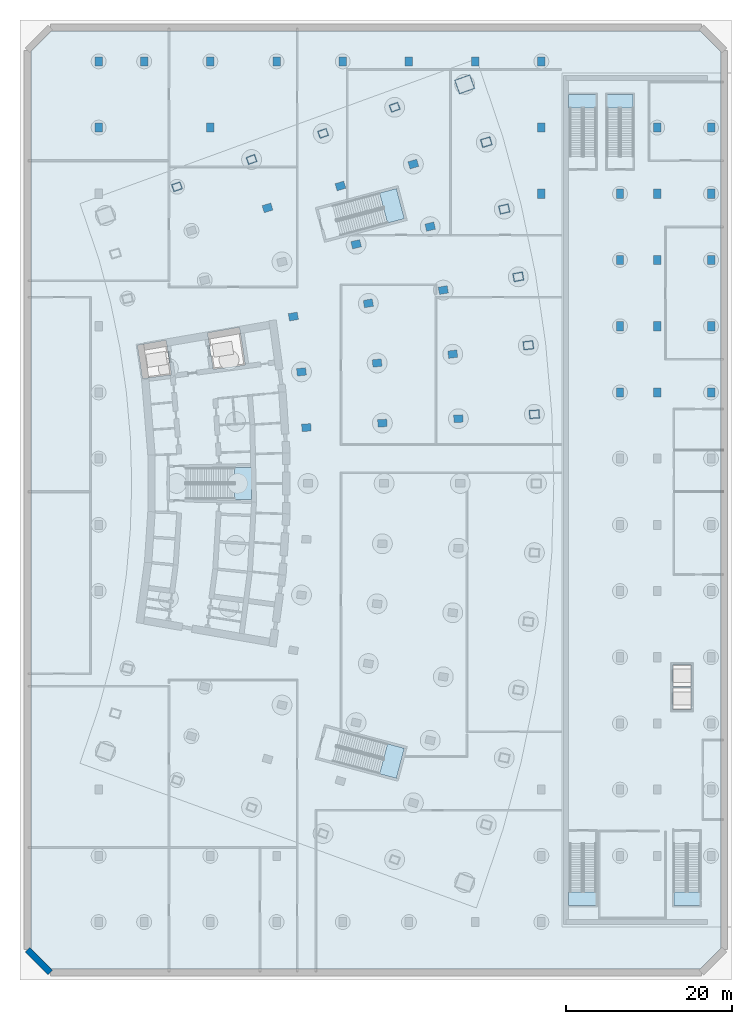
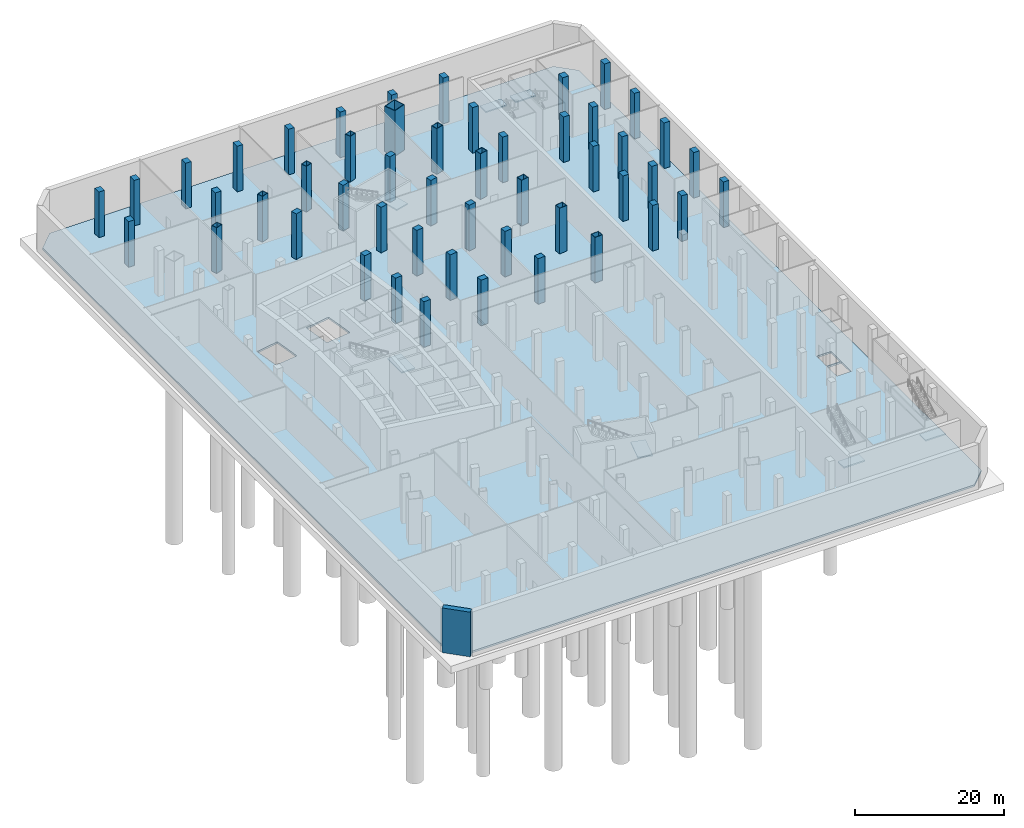
# One storey, part 2 of 19: 50 columns, 8 slabs, 1 wall, 7 elements without a shape of their own.
"""IFC4 building model written with IfcOpenShell, lengths in metres."""

from ifc_helpers import new_model, si_unit, direction, frame, frame_2d, origin, origin_2d, place, context, subcontext, project, spatial, polyline, rectangle, hollow_rectangle, outline, extrude, material, layer, layer_set, material_profile, profile_set, type_object, element, aggregate, save


model = new_model("IFC4")

# Units and contexts
model_context = context("Model", 3, precision=1e-05, world=origin(), true_north=direction((0.0, 1.0)))
body_context = subcontext(model_context, "Body", "Model", "MODEL_VIEW")
ifc_project = project(units=[si_unit("LENGTHUNIT", "METRE"), si_unit("AREAUNIT", "SQUARE_METRE"), si_unit("VOLUMEUNIT", "CUBIC_METRE"), si_unit("PLANEANGLEUNIT", "RADIAN"), si_unit("MASSUNIT", "GRAM", prefix="KILO")], contexts=[model_context])

# Site, building, storey
site_placement = place(None, origin())
site = spatial("IfcSite", under=ifc_project, at=site_placement, CompositionType="ELEMENT")
building_placement = place(site_placement, origin())
building = spatial("IfcBuilding", under=site, at=building_placement, Name="Alderwake Tower", CompositionType="ELEMENT")
storey_placement = place(building_placement, frame((0.0, 0.0, -14.0)))
storey = spatial("IfcBuildingStorey", under=building, at=storey_placement, Name="B2", CompositionType="ELEMENT", Elevation=-14.0)

# Columns
ifc_material_1 = material(Name="Steel ASTM A572 Grade 50 concrete filled C70/85", Category="concrete")
ifc_material_profile_1 = material_profile(ifc_material_1, hollow_rectangle(XDim=0.89990234375, YDim=1.10009765625, WallThickness=0.06005859375, at=origin_2d()), Name="BOX 1100X900X60")
ifc_profile_set_1 = profile_set([ifc_material_profile_1], Name="Steel ASTM A572 Grade 50 concrete filled C70/85")
column_type_1 = type_object("IfcColumnType", Name="End column Z1", PredefinedType="COLUMN", material=ifc_profile_set_1)
for number, where, z_axis, x_axis, name in (
    (1, (19.965576171875, 96.8515625, -0.300048828125), (0.0, 0.0, 1.0), (-0.337584879279, 0.9412950915, 0.0), "Column R13-C1"),
    (2, (28.983642578125, 100.143310546875, -0.300048828125), (0.0, 0.0, 1.0), (-0.338026774049, 0.941136493834, 0.0), "Column R13-C2"),
    (3, (37.6259765625, 103.298095703125, -0.300048828125), (0.0, 0.0, 1.0), (-0.338384834858, 0.941007812687, 0.0), "Column R13-C3"),
    (4, (46.268310546875, 106.452880859375, -0.300048828125), (0.0, 0.0, 1.0), (-0.338695224082, 0.940896139425, 0.0), "Column R13-C4"),
):
    element("IfcColumn", number, at=place(storey_placement, frame(where, z_axis=z_axis, x_axis=x_axis)), inside=storey, type_object=column_type_1, Name=name, PredefinedType="COLUMN", context=body_context, shape_type="SweptSolid", body=[
        extrude(hollow_rectangle(XDim=0.89990234375, YDim=1.10009765625, WallThickness=0.06005859375, at=origin_2d()), origin(), (0.0, 0.0, 1.0), 7.800048828125),
    ])
ifc_material_2 = material(Name="Concrete C70/85", Category="concrete")
ifc_material_profile_2 = material_profile(ifc_material_2, rectangle(XDim=0.89990234375, YDim=1.10009765625, at=origin_2d()), Name="RC 1100X900")
ifc_profile_set_2 = profile_set([ifc_material_profile_2], Name="Concrete C70/85")
column_type_2 = type_object("IfcColumnType", Name="Interior column Z1", PredefinedType="COLUMN", material=ifc_profile_set_2)
for number, where, z_axis, x_axis, name in (
    (5, (35.60302734375, 67.751220703125, -0.300048828125), (0.0, 0.0, 1.0), (-0.058301061284, 0.998299046505, 0.0), "Column R08-C2"),
    (6, (44.787353515625, 68.28759765625, -0.300048828125), (0.0, 0.0, 1.0), (-0.058299318924, 0.998299148258, 0.0), "Column R08-C3"),
    (7, (53.9716796875, 68.823974609375, -0.300048828125), (0.0, 0.0, 1.0), (-0.058301061284, 0.998299046505, 0.0), "Column R08-C4"),
    (8, (35.0126953125, 74.4794921875, -0.300048828125), (0.0, 0.0, 1.0), (-0.116402054316, 0.993202175668, 0.0), "Column R09-C2"),
    (9, (44.150390625, 75.55029296875, -0.300048828125), (0.0, 0.0, 1.0), (-0.116402054316, 0.993202175668, 0.0), "Column R09-C3"),
    (10, (53.28759765625, 76.62109375, -0.300048828125), (0.0, 0.0, 1.0), (-0.116402054316, 0.993202175668, 0.0), "Column R09-C4"),
    (11, (34.03125, 81.16162109375, -0.300048828125), (0.0, 0.0, 1.0), (-0.174108800747, 0.984726421654, 0.0), "Column R10-C2"),
    (12, (43.0908203125, 82.763427734375, -0.300048828125), (0.0, 0.0, 1.0), (-0.174108800747, 0.984726421654, 0.0), "Column R10-C3"),
    (13, (52.150390625, 84.365234375, -0.300048828125), (0.0, 0.0, 1.0), (-0.174108800747, 0.984726421654, 0.0), "Column R10-C4"),
    (14, (41.612548828125, 89.902587890625, -0.300048828125), (0.0, 0.0, 1.0), (-0.231221547198, 0.972901123502, 0.0), "Column R11-C3"),
    (15, (50.563232421875, 92.030029296875, -0.300048828125), (0.0, 0.0, 1.0), (-0.231221547198, 0.972901123502, 0.0), "Column R11-C4"),
    (16, (30.9091796875, 94.298095703125, -0.300048828125), (0.0, 0.0, 1.0), (-0.287549418125, 0.957765802342, 0.0), "Column R12-C2"),
    (17, (39.720703125, 96.943603515625, -0.300048828125), (0.0, 0.0, 1.0), (-0.287549418125, 0.957765802342, 0.0), "Column R12-C3"),
    (18, (48.5322265625, 99.589111328125, -0.300048828125), (0.0, 0.0, 1.0), (-0.287549418125, 0.957765802342, 0.0), "Column R12-C4"),
):
    element("IfcColumn", number, at=place(storey_placement, frame(where, z_axis=z_axis, x_axis=x_axis)), inside=storey, type_object=column_type_2, Name=name, PredefinedType="COLUMN", context=body_context, shape_type="SweptSolid", body=[
        extrude(rectangle(XDim=0.89990234375, YDim=1.10009765625, at=origin_2d()), origin(), (0.0, 0.0, 1.0), 7.800048828125),
    ])
ifc_material_3 = material(Name="Steel ASTM A572 Grade 50 concrete filled C70/85", Category="concrete")
ifc_material_profile_3 = material_profile(ifc_material_3, hollow_rectangle(XDim=1.800048828125, YDim=2.0, WallThickness=0.090087890625, at=origin_2d()), Name="BOX 2000X1800X90")
ifc_profile_set_3 = profile_set([ifc_material_profile_3], Name="Steel ASTM A572 Grade 50 concrete filled C70/85")
column_type_3 = type_object("IfcColumnType", Name="Mega column Z1", PredefinedType="COLUMN", material=ifc_profile_set_3)
column_placement = place(storey_placement, frame((54.7294921875, 109.22412109375, -0.300048828125), z_axis=(0.0, 0.0, 1.0), x_axis=(-0.336995022772, 0.941506428351, 0.0)))
element("IfcColumn", 19, at=column_placement, inside=storey, type_object=column_type_3, Name="Column R13-C5", PredefinedType="COLUMN", context=body_context, shape_type="SweptSolid", body=[
    extrude(hollow_rectangle(XDim=1.800048828125, YDim=2.0, WallThickness=0.090087890625, at=origin_2d()), origin(), (0.0, 0.0, 1.0), 7.800048828125),
])
ifc_material_4 = material(Name="Steel ASTM A572 Grade 50 concrete filled C70/85", Category="concrete")
ifc_material_profile_4 = material_profile(ifc_material_4, hollow_rectangle(XDim=1.0, YDim=1.199951171875, WallThickness=0.06005859375, at=origin_2d()), Name="BOX 1200X1000X60")
ifc_profile_set_4 = profile_set([ifc_material_profile_4], Name="Steel ASTM A572 Grade 50 concrete filled C70/85")
column_type_4 = type_object("IfcColumnType", Name="Perimeter column Z1", PredefinedType="COLUMN", material=ifc_profile_set_4)
for number, where, z_axis, x_axis, name in (
    (20, (63.156005859375, 69.3603515625, -0.300048828125), (0.0, 0.0, 1.0), (-0.058301061284, 0.998299046505, 0.0), "Column R08-C5"),
    (21, (62.42529296875, 77.692138671875, -0.300048828125), (0.0, 0.0, 1.0), (-0.116402054316, 0.993202175668, 0.0), "Column R09-C5"),
    (22, (61.209716796875, 85.967041015625, -0.300048828125), (0.0, 0.0, 1.0), (-0.174108800747, 0.984726421654, 0.0), "Column R10-C5"),
    (23, (59.513916015625, 94.1572265625, -0.300048828125), (0.0, 0.0, 1.0), (-0.231221547198, 0.972901123502, 0.0), "Column R11-C5"),
    (24, (57.343505859375, 102.234619140625, -0.300048828125), (0.0, 0.0, 1.0), (-0.287549418125, 0.957765802342, 0.0), "Column R12-C5"),
):
    element("IfcColumn", number, at=place(storey_placement, frame(where, z_axis=z_axis, x_axis=x_axis)), inside=storey, type_object=column_type_4, Name=name, PredefinedType="COLUMN", context=body_context, shape_type="SweptSolid", body=[
        extrude(hollow_rectangle(XDim=1.0, YDim=1.199951171875, WallThickness=0.06005859375, at=origin_2d()), origin(), (0.0, 0.0, 1.0), 7.800048828125),
    ])
ifc_material_5 = material(Name="Concrete C70/85", Category="concrete")
ifc_material_profile_5 = material_profile(ifc_material_5, rectangle(XDim=0.89990234375, YDim=1.10009765625, at=origin_2d()), Name="RC 1100X900")
ifc_profile_set_5 = profile_set([ifc_material_profile_5], Name="Concrete C70/85")
column_type_5 = type_object("IfcColumnType", Name="Podium column", PredefinedType="COLUMN", material=ifc_profile_set_5)
for number, where, z_axis, x_axis, name in (
    (25, (10.5, 104.0, -0.300048828125), (0.0, 0.0, 1.0), (1.0, 0.0, 0.0), "Column XW-YN"),
    (26, (10.5, 112.0, -0.300048828125), (0.0, 0.0, 1.0), (1.0, 0.0, 0.0), "Column XW-YO"),
    (27, (16.0, 112.0, -0.300048828125), (0.0, 0.0, 1.0), (1.0, 0.0, 0.0), "Column X03-YO"),
    (28, (24.0, 104.0, -0.300048828125), (0.0, 0.0, 1.0), (1.0, 0.0, 0.0), "Column X04-YN"),
    (29, (24.0, 112.0, -0.300048828125), (0.0, 0.0, 1.0), (1.0, 0.0, 0.0), "Column X04-YO"),
    (30, (32.0, 112.0, -0.300048828125), (0.0, 0.0, 1.0), (1.0, 0.0, 0.0), "Column X05-YO"),
    (31, (40.0, 112.0, -0.300048828125), (0.0, 0.0, 1.0), (1.0, 0.0, 0.0), "Column X06-YO"),
    (32, (48.0, 112.0, -0.300048828125), (0.0, 0.0, 1.0), (1.0, 0.0, 0.0), "Column X07-YO"),
    (33, (56.0, 112.0, -0.300048828125), (0.0, 0.0, 1.0), (1.0, 0.0, 0.0), "Column X08-YO"),
    (34, (64.0, 96.0, -0.300048828125), (0.0, 0.0, 1.0), (1.0, 0.0, 0.0), "Column X09-YM"),
    (35, (64.0, 104.0, -0.300048828125), (0.0, 0.0, 1.0), (1.0, 0.0, 0.0), "Column X09-YN"),
    (36, (64.0, 112.0, -0.300048828125), (0.0, 0.0, 1.0), (1.0, 0.0, 0.0), "Column X09-YO"),
    (37, (73.5, 72.0, -0.300048828125), (0.0, 0.0, 1.0), (1.0, 0.0, 0.0), "Column XS1-YJ"),
    (38, (73.5, 80.0, -0.300048828125), (0.0, 0.0, 1.0), (1.0, 0.0, 0.0), "Column XS1-YK"),
    (39, (73.5, 88.0, -0.300048828125), (0.0, 0.0, 1.0), (1.0, 0.0, 0.0), "Column XS1-YL"),
    (40, (73.5, 96.0, -0.300048828125), (0.0, 0.0, 1.0), (1.0, 0.0, 0.0), "Column XS1-YM"),
    (41, (78.0, 72.0, -0.300048828125), (0.0, 0.0, 1.0), (1.0, 0.0, 0.0), "Column XS2-YJ"),
    (42, (78.0, 80.0, -0.300048828125), (0.0, 0.0, 1.0), (1.0, 0.0, 0.0), "Column XS2-YK"),
    (43, (78.0, 88.0, -0.300048828125), (0.0, 0.0, 1.0), (1.0, 0.0, 0.0), "Column XS2-YL"),
    (44, (78.0, 96.0, -0.300048828125), (0.0, 0.0, 1.0), (1.0, 0.0, 0.0), "Column XS2-YM"),
    (45, (78.0, 104.0, -0.300048828125), (0.0, 0.0, 1.0), (1.0, 0.0, 0.0), "Column XS2-YN"),
    (46, (84.5, 72.0, -0.300048828125), (0.0, 0.0, 1.0), (1.0, 0.0, 0.0), "Column XE-YJ"),
    (47, (84.5, 80.0, -0.300048828125), (0.0, 0.0, 1.0), (1.0, 0.0, 0.0), "Column XE-YK"),
    (48, (84.5, 88.0, -0.300048828125), (0.0, 0.0, 1.0), (1.0, 0.0, 0.0), "Column XE-YL"),
    (49, (84.5, 96.0, -0.300048828125), (0.0, 0.0, 1.0), (1.0, 0.0, 0.0), "Column XE-YM"),
    (50, (84.5, 104.0, -0.300048828125), (0.0, 0.0, 1.0), (1.0, 0.0, 0.0), "Column XE-YN"),
):
    element("IfcColumn", number, at=place(storey_placement, frame(where, z_axis=z_axis, x_axis=x_axis)), inside=storey, type_object=column_type_5, Name=name, PredefinedType="COLUMN", context=body_context, shape_type="SweptSolid", body=[
        extrude(rectangle(XDim=0.89990234375, YDim=1.10009765625, at=origin_2d()), origin(), (0.0, 0.0, 1.0), 7.800048828125),
    ])

# Slab
ifc_material_6 = material(Name="Concrete C50/60", Category="concrete")
ifc_layer_1 = layer(ifc_material_6, 0.300048828125)
ifc_layer_set_1 = layer_set([ifc_layer_1], Name="Concrete C50/60 raft topping slab 300")
slab_type_1 = type_object("IfcSlabType", Name="Concrete C50/60 raft topping slab 300", PredefinedType="BASESLAB", material=ifc_layer_set_1)
slab_1_placement = place(storey_placement, frame((0.0, 0.0, -0.300048828125)))
element("IfcSlab", 51, at=slab_1_placement, inside=storey, type_object=slab_type_1, Name="Floor slab B2", PredefinedType="BASESLAB", context=body_context, shape_type="SweptSolid", body=[
    extrude(outline(polyline([(2.300048828125, 4.831298828125), (2.300048828125, 113.168701171875), (4.831298828125, 115.699951171875), (83.168701171875, 115.699951171875), (85.699951171875, 113.168701171875), (85.699951171875, 4.831298828125), (83.168701171875, 2.300048828125), (4.831298828125, 2.300048828125), (2.300048828125, 4.831298828125)]), holes=[polyline([(79.89990234375, 33.699951171875), (82.10009765625, 33.699951171875), (82.10009765625, 36.300048828125), (79.89990234375, 36.300048828125), (79.89990234375, 33.699951171875)]), polyline([(79.89990234375, 36.449951171875), (82.10009765625, 36.449951171875), (82.10009765625, 39.050048828125), (79.89990234375, 39.050048828125), (79.89990234375, 36.449951171875)]), polyline([(15.68701171875, 74.6103515625), (15.8134765625, 73.68310546875), (19.283935546875, 74.136962890625), (19.152099609375, 75.103271484375), (18.9873046875, 76.21630859375), (18.81005859375, 77.32763671875), (18.6455078125, 78.2890625), (15.19921875, 77.6796875), (15.35693359375, 76.757080078125), (15.52783203125, 75.684814453125), (15.68701171875, 74.6103515625)]), polyline([(24.201171875, 75.8212890625), (24.3408203125, 74.79833984375), (28.2080078125, 75.30419921875), (28.062255859375, 76.37060546875), (27.8828125, 77.583984375), (27.689697265625, 78.794921875), (27.50830078125, 79.85595703125), (23.667724609375, 79.177001953125), (23.841796875, 78.1591796875), (24.028076171875, 76.9912109375), (24.201171875, 75.8212890625)])]), origin(), (0.0, 0.0, 1.0), 0.300048828125),
])

# Stair, slab
ifc_material_7 = material(Name="Concrete C40/50", Category="concrete")
stair_type_1 = type_object("IfcStairType", Name="Core exit stair", PredefinedType="HALF_TURN_STAIR", material=ifc_material_7)
stair_1_placement = place(storey_placement, origin())
stair_1 = element("IfcStair", 52, at=stair_1_placement, inside=storey, type_object=stair_type_1, Name="B2 Exit Stair B", PredefinedType="HALF_TURN_STAIR")
ifc_material_8 = material(Name="Concrete C40/50", Category="concrete")
ifc_layer_2 = layer(ifc_material_8, 0.199951171875)
ifc_layer_set_2 = layer_set([ifc_layer_2], Name="Core stair landing 200")
slab_type_2 = type_object("IfcSlabType", Name="Core stair landing 200", PredefinedType="LANDING", material=ifc_layer_set_2)
slab_2_placement = place(storey_placement, frame((0.0, 0.0, 3.550048828125)))
slab_2 = element("IfcSlab", 53, at=slab_2_placement, type_object=slab_type_2, Name="ST-B landing 1", PredefinedType="LANDING", context=body_context, shape_type="SweptSolid", body=[
    extrude(outline(polyline([(26.909912109375, 59.074951171875), (29.0, 59.074951171875), (29.0, 62.925048828125), (26.909912109375, 62.925048828125), (26.909912109375, 59.074951171875)])), origin(), (0.0, 0.0, 1.0), 0.199951171875),
])
aggregate(stair_1, [slab_2])

stair_2_placement = place(storey_placement, origin())
stair_2 = element("IfcStair", 54, at=stair_2_placement, inside=storey, type_object=stair_type_1, Name="B2 Exit Stair A", PredefinedType="HALF_TURN_STAIR")
slab_3_placement = place(storey_placement, frame((0.0, 0.0, 3.550048828125)))
slab_3 = element("IfcSlab", 55, at=slab_3_placement, type_object=slab_type_2, Name="ST-A landing 1", PredefinedType="LANDING", context=body_context, shape_type="SweptSolid", body=[
    extrude(outline(polyline([(45.416748046875, 92.465087890625), (47.436279296875, 93.003173828125), (46.47119140625, 96.626708984375), (44.45166015625, 96.0888671875), (45.416748046875, 92.465087890625)])), origin(), (0.0, 0.0, 1.0), 0.199951171875),
])
aggregate(stair_2, [slab_3])

stair_3_placement = place(storey_placement, origin())
stair_3 = element("IfcStair", 56, at=stair_3_placement, inside=storey, type_object=stair_type_1, Name="B2 Exit Stair C", PredefinedType="HALF_TURN_STAIR")
slab_4_placement = place(storey_placement, frame((0.0, 0.0, 3.550048828125)))
slab_4 = element("IfcSlab", 57, at=slab_4_placement, type_object=slab_type_2, Name="ST-C landing 1", PredefinedType="LANDING", context=body_context, shape_type="SweptSolid", body=[
    extrude(outline(polyline([(44.45166015625, 25.9111328125), (46.47119140625, 25.373291015625), (47.436279296875, 28.996826171875), (45.416748046875, 29.534912109375), (44.45166015625, 25.9111328125)])), origin(), (0.0, 0.0, 1.0), 0.199951171875),
])
aggregate(stair_3, [slab_4])

ifc_material_9 = material(Name="Concrete C40/50", Category="concrete")
stair_type_2 = type_object("IfcStairType", Name="Exit stair 1500 half-turn", PredefinedType="HALF_TURN_STAIR", material=ifc_material_9)
stair_4_placement = place(storey_placement, origin())
stair_4 = element("IfcStair", 58, at=stair_4_placement, inside=storey, type_object=stair_type_2, Name="B2 Station stair S1", PredefinedType="HALF_TURN_STAIR")
slab_5_placement = place(storey_placement, frame((0.0, 0.0, 3.550048828125)))
slab_5 = element("IfcSlab", 59, at=slab_5_placement, type_object=slab_type_2, Name="ST-S1 landing 1", PredefinedType="LANDING", context=body_context, shape_type="SweptSolid", body=[
    extrude(outline(polyline([(67.300048828125, 11.6298828125), (67.300048828125, 10.0), (70.60009765625, 10.0), (70.60009765625, 11.6298828125), (67.300048828125, 11.6298828125)])), origin(), (0.0, 0.0, 1.0), 0.199951171875),
])
aggregate(stair_4, [slab_5])

stair_5_placement = place(storey_placement, origin())
stair_5 = element("IfcStair", 60, at=stair_5_placement, inside=storey, type_object=stair_type_2, Name="B2 Station stair S2", PredefinedType="HALF_TURN_STAIR")
slab_6_placement = place(storey_placement, frame((0.0, 0.0, 3.550048828125)))
slab_6 = element("IfcSlab", 61, at=slab_6_placement, type_object=slab_type_2, Name="ST-S2 landing 1", PredefinedType="LANDING", context=body_context, shape_type="SweptSolid", body=[
    extrude(outline(polyline([(80.0, 11.6298828125), (80.0, 10.0), (83.14990234375, 10.0), (83.14990234375, 11.6298828125), (80.0, 11.6298828125)])), origin(), (0.0, 0.0, 1.0), 0.199951171875),
])
aggregate(stair_5, [slab_6])

stair_6_placement = place(storey_placement, origin())
stair_6 = element("IfcStair", 62, at=stair_6_placement, inside=storey, type_object=stair_type_2, Name="B2 Station stair S3", PredefinedType="HALF_TURN_STAIR")
slab_7_placement = place(storey_placement, frame((0.0, 0.0, 3.550048828125)))
slab_7 = element("IfcSlab", 63, at=slab_7_placement, type_object=slab_type_2, Name="ST-S3 landing 1", PredefinedType="LANDING", context=body_context, shape_type="SweptSolid", body=[
    extrude(outline(polyline([(70.60009765625, 106.3701171875), (70.60009765625, 108.0), (67.300048828125, 108.0), (67.300048828125, 106.3701171875), (70.60009765625, 106.3701171875)])), origin(), (0.0, 0.0, 1.0), 0.199951171875),
])
aggregate(stair_6, [slab_7])

stair_7_placement = place(storey_placement, origin())
stair_7 = element("IfcStair", 64, at=stair_7_placement, inside=storey, type_object=stair_type_2, Name="B2 Station stair S4", PredefinedType="HALF_TURN_STAIR")
slab_8_placement = place(storey_placement, frame((0.0, 0.0, 3.550048828125)))
slab_8 = element("IfcSlab", 65, at=slab_8_placement, type_object=slab_type_2, Name="ST-S4 landing 1", PredefinedType="LANDING", context=body_context, shape_type="SweptSolid", body=[
    extrude(outline(polyline([(75.10009765625, 106.3701171875), (75.10009765625, 108.0), (71.949951171875, 108.0), (71.949951171875, 106.3701171875), (75.10009765625, 106.3701171875)])), origin(), (0.0, 0.0, 1.0), 0.199951171875),
])
aggregate(stair_7, [slab_8])

# Wall
ifc_material_10 = material(Name="Concrete C50/60", Category="concrete")
ifc_layer_3 = layer(ifc_material_10, 0.800048828125)
ifc_layer_set_3 = layer_set([ifc_layer_3], Name="Basement retaining wall 800")
wall_type = type_object("IfcWallType", Name="Basement retaining wall 800", PredefinedType="SOLIDWALL", material=ifc_layer_set_3)
wall_placement = place(storey_placement, frame((4.665771484375, 1.89990234375, -0.300048828125), z_axis=(0.0, 0.0, 1.0), x_axis=(-0.707106781187, 0.707106781187, 0.0)))
element("IfcWall", 66, at=wall_placement, inside=storey, type_object=wall_type, Name="Retaining wall 1", PredefinedType="SOLIDWALL", context=body_context, shape_type="SweptSolid", body=[
    extrude(rectangle(XDim=3.91162109375, YDim=0.800048828125, at=frame_2d((1.955810546875, 0.0))), origin(), (0.0, 0.0, 1.0), 7.35009765625),
])

save(model, "model.ifc")
